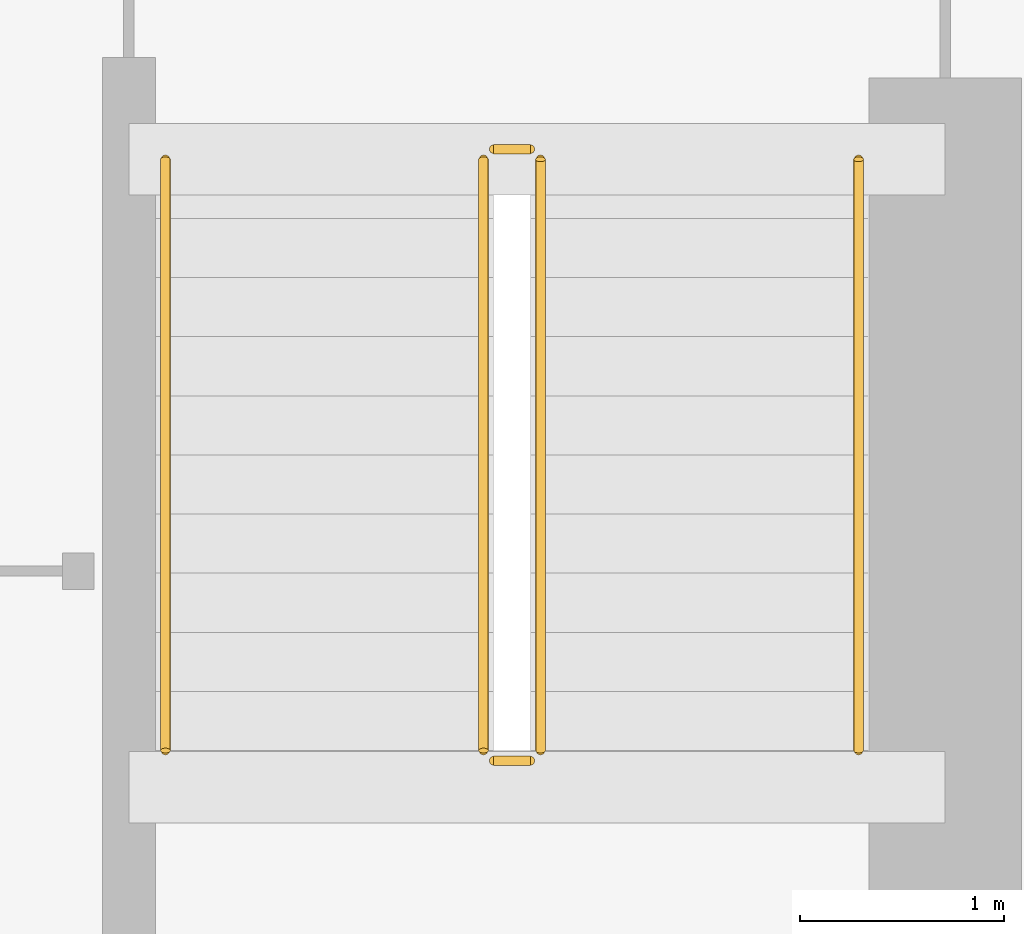
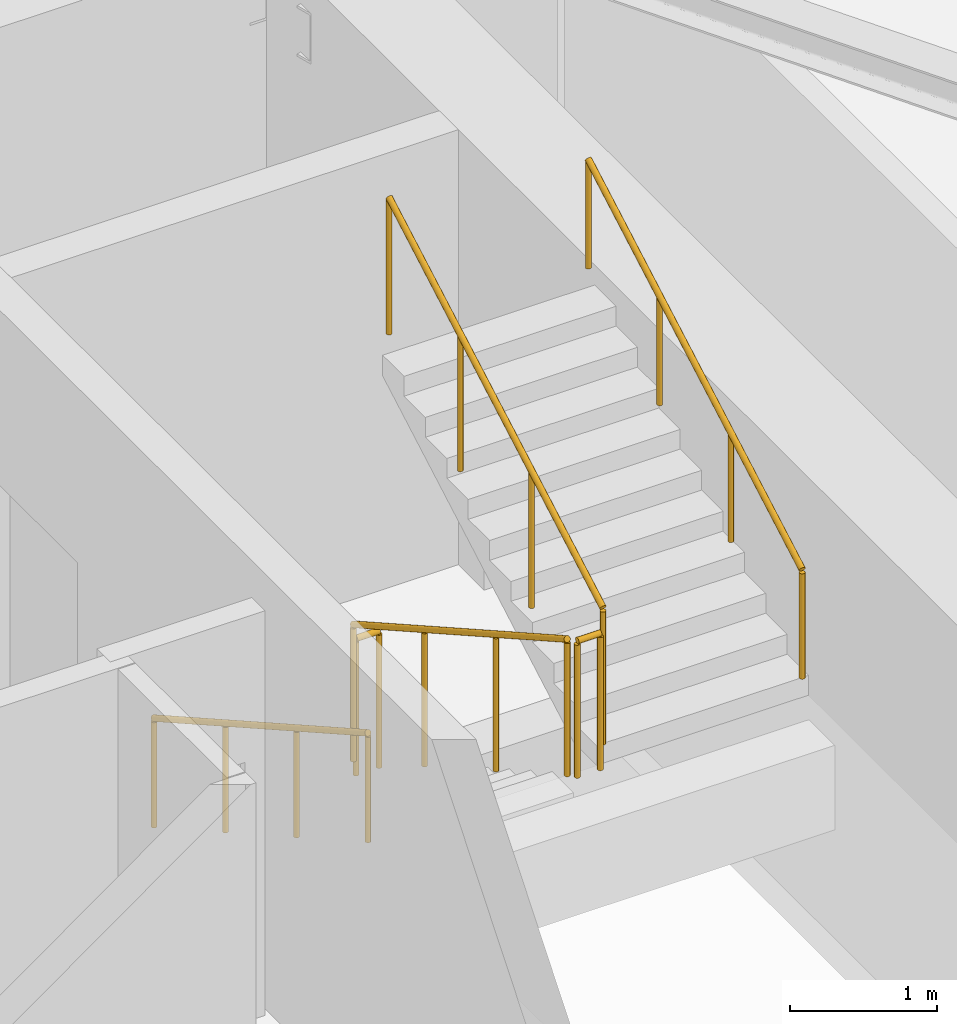
# One storey, part 11 of 11: 6 railings.
"""IFC4 building model written with IfcOpenShell, lengths in metres."""

from ifc_helpers import new_model, si_unit, direction, frame, origin, origin_2d, place, context, subcontext, project, spatial, circle, extrude, material, type_object, element, save


model = new_model("IFC4")

# Units and contexts
model_context = context("Model", 3, precision=1e-05, world=origin(), true_north=direction((0.0, 1.0)))
body_context = subcontext(model_context, "Body", "Model", "MODEL_VIEW")
ifc_project = project(units=[si_unit("LENGTHUNIT", "METRE"), si_unit("AREAUNIT", "SQUARE_METRE"), si_unit("VOLUMEUNIT", "CUBIC_METRE"), si_unit("PLANEANGLEUNIT", "RADIAN"), si_unit("MASSUNIT", "GRAM", prefix="KILO")], contexts=[model_context])

# Site, building, storey
site_placement = place(None, origin())
site = spatial("IfcSite", under=ifc_project, at=site_placement, CompositionType="ELEMENT")
building_placement = place(site_placement, origin())
building = spatial("IfcBuilding", under=site, at=building_placement, Name="Calvemar Wedge Station Tower", CompositionType="ELEMENT")
storey_placement = place(building_placement, frame((0.0, 0.0, 143.0)))
storey = spatial("IfcBuildingStorey", under=building, at=storey_placement, Name="L35", CompositionType="ELEMENT", Elevation=143.0)

# Railings
ifc_material_1 = material(Name="Stainless steel AISI 316L", Category="steel")
railing_type_1 = type_object("IfcRailingType", Name="RL-HANDRAIL-920", PredefinedType="HANDRAIL", material=ifc_material_1)
railing_1_placement = place(storey_placement, frame((27.550048828125, 41.14990234375, 0.16357421875)))
element("IfcRailing", 1, at=railing_1_placement, inside=storey, type_object=railing_type_1, Name="L35 ST-C2 stair handrail 1", PredefinedType="HANDRAIL", context=body_context, shape_type="SweptSolid", body=[
    extrude(circle(Radius=0.02392578125, at=origin_2d()), frame((0.0, 0.0, 0.89599609375), z_axis=(0.0, -0.870897200241, 0.491465224214), x_axis=(1.0, 0.0, 0.0)), (0.0, 0.0, 1.0), 3.329833984375),
    extrude(circle(Radius=0.02099609375, at=origin_2d()), origin(), (0.0, 0.0, 1.0), 0.871826171875),
    extrude(circle(Radius=0.02099609375, at=origin_2d()), frame((0.0, -0.966552734375, 0.54541015625)), (0.0, 0.0, 1.0), 0.871826171875),
    extrude(circle(Radius=0.02099609375, at=origin_2d()), frame((0.0, -1.933349609375, 1.091064453125)), (0.0, 0.0, 1.0), 0.871826171875),
    extrude(circle(Radius=0.02099609375, at=origin_2d()), frame((0.0, -2.89990234375, 1.636474609375)), (0.0, 0.0, 1.0), 0.871826171875),
])
railing_2_placement = place(storey_placement, frame((30.949951171875, 38.25, 1.963623046875)))
element("IfcRailing", 2, at=railing_2_placement, inside=storey, type_object=railing_type_1, Name="L35 ST-C2 stair handrail 2", PredefinedType="HANDRAIL", context=body_context, shape_type="SweptSolid", body=[
    extrude(circle(Radius=0.02392578125, at=origin_2d()), frame((0.0, 0.0, 0.89599609375), z_axis=(0.0, 0.870897200241, 0.491465224214), x_axis=(-1.0, 0.0, 0.0)), (0.0, 0.0, 1.0), 3.329833984375),
    extrude(circle(Radius=0.02099609375, at=origin_2d()), origin(), (0.0, 0.0, 1.0), 0.871826171875),
    extrude(circle(Radius=0.02099609375, at=origin_2d()), frame((0.0, 0.966552734375, 0.54541015625)), (0.0, 0.0, 1.0), 0.871826171875),
    extrude(circle(Radius=0.02099609375, at=origin_2d()), frame((0.0, 1.933349609375, 1.091064453125)), (0.0, 0.0, 1.0), 0.871826171875),
    extrude(circle(Radius=0.02099609375, at=origin_2d()), frame((0.0, 2.89990234375, 1.636474609375)), (0.0, 0.0, 1.0), 0.871826171875),
])
ifc_material_2 = material(Name="Painted steel guardrail ASTM A500 Grade C", Category="steel")
railing_type_2 = type_object("IfcRailingType", Name="RL-STAIR-GUARD-1150", PredefinedType="GUARDRAIL", material=ifc_material_2)
railing_3_placement = place(storey_placement, frame((29.110107421875, 41.14990234375, 0.16357421875)))
element("IfcRailing", 3, at=railing_3_placement, inside=storey, type_object=railing_type_2, Name="L35 ST-C2 stair guard 1", PredefinedType="GUARDRAIL", context=body_context, shape_type="SweptSolid", body=[
    extrude(circle(Radius=0.02392578125, at=origin_2d()), frame((0.0, 0.0, 1.1259765625), z_axis=(0.0, -0.870897200241, 0.491465224214), x_axis=(1.0, 0.0, 0.0)), (0.0, 0.0, 1.0), 3.329833984375),
    extrude(circle(Radius=0.02099609375, at=origin_2d()), origin(), (0.0, 0.0, 1.0), 1.101806640625),
    extrude(circle(Radius=0.02099609375, at=origin_2d()), frame((0.0, -0.966552734375, 0.54541015625)), (0.0, 0.0, 1.0), 1.101806640625),
    extrude(circle(Radius=0.02099609375, at=origin_2d()), frame((0.0, -1.933349609375, 1.091064453125)), (0.0, 0.0, 1.0), 1.101806640625),
    extrude(circle(Radius=0.02099609375, at=origin_2d()), frame((0.0, -2.89990234375, 1.636474609375)), (0.0, 0.0, 1.0), 1.101806640625),
])
railing_4_placement = place(storey_placement, frame((29.159912109375, 38.199951171875, 1.800048828125)))
element("IfcRailing", 4, at=railing_4_placement, inside=storey, type_object=railing_type_2, Name="L35 ST-C2 stair guard 2", PredefinedType="GUARDRAIL", context=body_context, shape_type="SweptSolid", body=[
    extrude(circle(Radius=0.02392578125, at=origin_2d()), frame((0.0, 0.0, 1.1259765625), z_axis=(1.0, 0.0, 0.0), x_axis=(0.0, 1.0, 0.0)), (0.0, 0.0, 1.0), 0.18017578125),
    extrude(circle(Radius=0.02099609375, at=origin_2d()), origin(), (0.0, 0.0, 1.0), 1.101806640625),
    extrude(circle(Radius=0.02099609375, at=origin_2d()), frame((0.18017578125, 0.0, 0.0)), (0.0, 0.0, 1.0), 1.101806640625),
])
railing_5_placement = place(storey_placement, frame((29.389892578125, 38.25, 1.963623046875)))
element("IfcRailing", 5, at=railing_5_placement, inside=storey, type_object=railing_type_2, Name="L35 ST-C2 stair guard 3", PredefinedType="GUARDRAIL", context=body_context, shape_type="SweptSolid", body=[
    extrude(circle(Radius=0.02392578125, at=origin_2d()), frame((0.0, 0.0, 1.1259765625), z_axis=(0.0, 0.870897200241, 0.491465224214), x_axis=(-1.0, 0.0, 0.0)), (0.0, 0.0, 1.0), 3.329833984375),
    extrude(circle(Radius=0.02099609375, at=origin_2d()), origin(), (0.0, 0.0, 1.0), 1.101806640625),
    extrude(circle(Radius=0.02099609375, at=origin_2d()), frame((0.0, 0.966552734375, 0.54541015625)), (0.0, 0.0, 1.0), 1.101806640625),
    extrude(circle(Radius=0.02099609375, at=origin_2d()), frame((0.0, 1.933349609375, 1.091064453125)), (0.0, 0.0, 1.0), 1.101806640625),
    extrude(circle(Radius=0.02099609375, at=origin_2d()), frame((0.0, 2.89990234375, 1.636474609375)), (0.0, 0.0, 1.0), 1.101806640625),
])
railing_6_placement = place(storey_placement, frame((29.159912109375, 41.199951171875, 0.0)))
element("IfcRailing", 6, at=railing_6_placement, inside=storey, type_object=railing_type_2, Name="L35 ST-C2 stair guard 4", PredefinedType="GUARDRAIL", context=body_context, shape_type="SweptSolid", body=[
    extrude(circle(Radius=0.02392578125, at=origin_2d()), frame((0.0, 0.0, 1.1259765625), z_axis=(1.0, 0.0, 0.0), x_axis=(0.0, 1.0, 0.0)), (0.0, 0.0, 1.0), 0.18017578125),
    extrude(circle(Radius=0.02099609375, at=origin_2d()), origin(), (0.0, 0.0, 1.0), 1.101806640625),
    extrude(circle(Radius=0.02099609375, at=origin_2d()), frame((0.18017578125, 0.0, 0.0)), (0.0, 0.0, 1.0), 1.101806640625),
])

save(model, "model.ifc")
